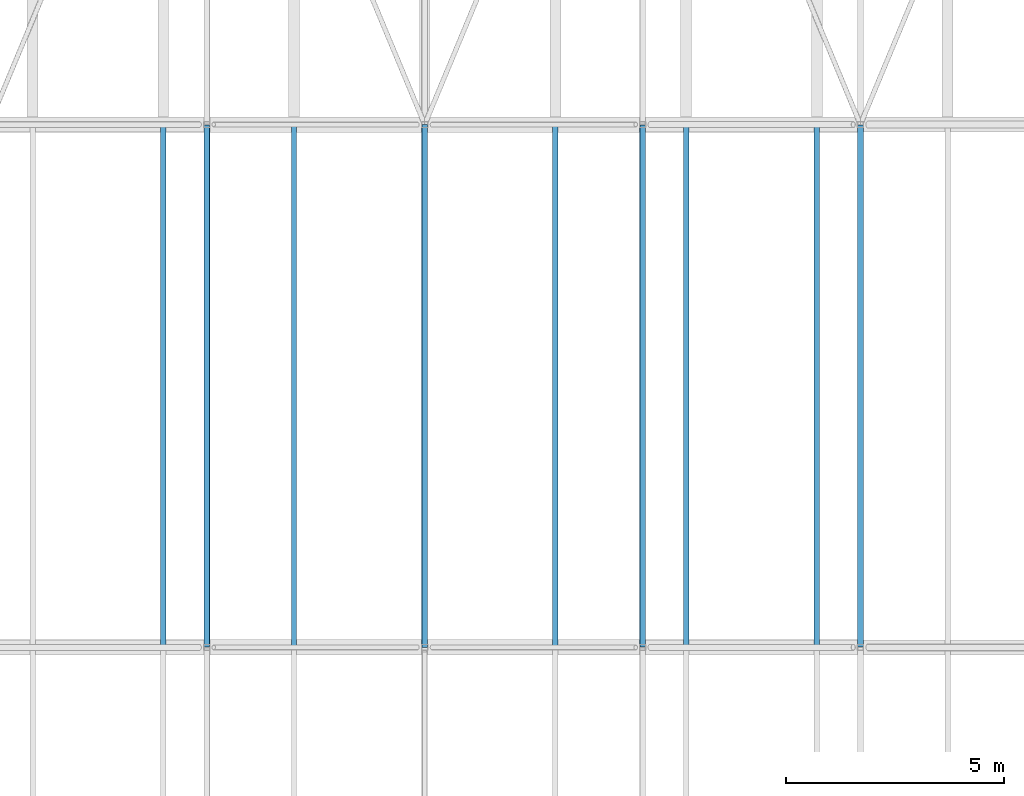
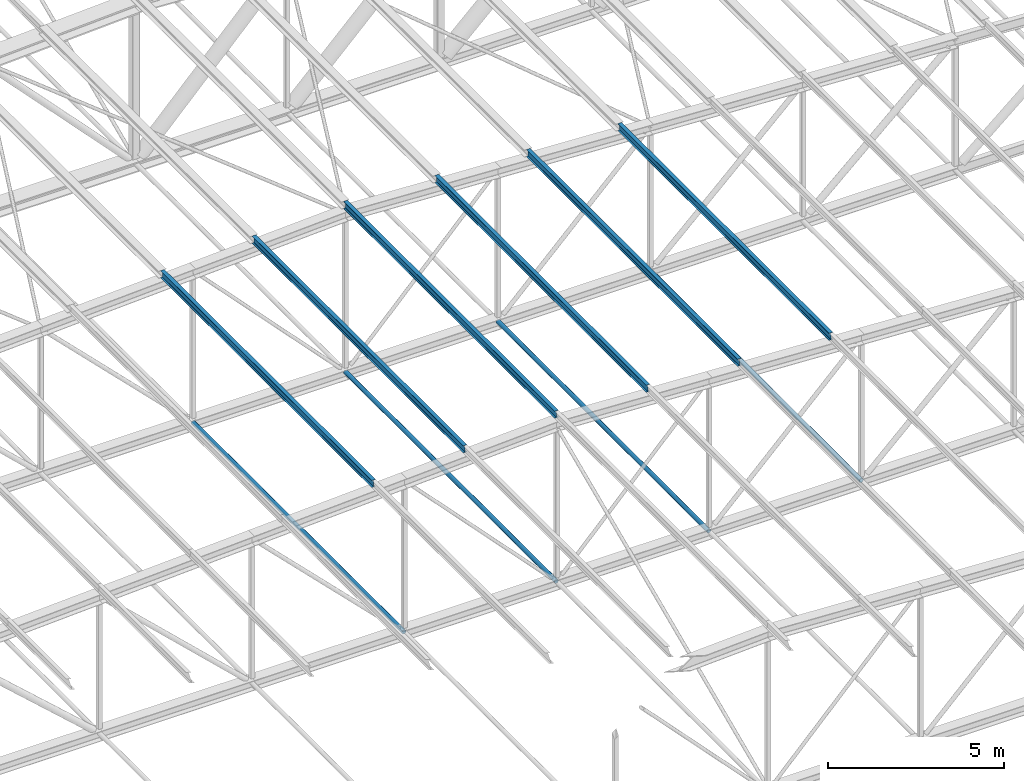
# One storey, part 62 of 156: 10 members.
"""IFC4 building model written with IfcOpenShell, lengths in metres."""

from ifc_helpers import new_model, si_unit, direction, frame, origin, origin_2d, place, context, subcontext, project, spatial, hollow_circle, i_section, extrude, material, material_profile, profile_set, type_object, element, save


model = new_model("IFC4")

# Units and contexts
model_context = context("Model", 3, precision=1e-05, world=origin(), true_north=direction((0.0, 1.0)))
body_context = subcontext(model_context, "Body", "Model", "MODEL_VIEW")
ifc_project = project(units=[si_unit("LENGTHUNIT", "METRE"), si_unit("AREAUNIT", "SQUARE_METRE"), si_unit("VOLUMEUNIT", "CUBIC_METRE"), si_unit("PLANEANGLEUNIT", "RADIAN"), si_unit("MASSUNIT", "GRAM", prefix="KILO")], contexts=[model_context])

# Site, building, storey
site_placement = place(None, origin())
site = spatial("IfcSite", under=ifc_project, at=site_placement, CompositionType="ELEMENT")
building_placement = place(site_placement, origin())
building = spatial("IfcBuilding", under=site, at=building_placement, Name="Lilac Gate Convention Centre", CompositionType="ELEMENT")
storey_placement = place(building_placement, frame((0.0, 0.0, 17.0)))
storey = spatial("IfcBuildingStorey", under=building, at=storey_placement, Name="L03", CompositionType="ELEMENT", Elevation=17.0)

# Members
ifc_material = material(Name="Steel Q355B", Category="steel")
ifc_material_profile_1 = material_profile(ifc_material, hollow_circle(Radius=0.06982421875, WallThickness=0.0048828125, at=origin_2d()), Name="CHS139.7x5")
ifc_profile_set_1 = profile_set([ifc_material_profile_1], Name="Steel Q355B")
member_type_1 = type_object("IfcMemberType", Name="Bottom chord tie CHS139.7x5", PredefinedType="STRUT", material=ifc_profile_set_1)
for number, where, z_axis, x_axis, name in (
    (1, (55.0, 114.009521484375, 0.0), (0.0, 1.0, 0.0), (-1.0, 0.0, 0.0), "ST1 tie bay 8 node 6"),
    (2, (60.0, 114.009521484375, 0.0), (0.0, 1.0, 0.0), (-1.0, 0.0, 0.0), "ST1 tie bay 8 node 7"),
    (3, (65.0, 114.009521484375, 0.0), (0.0, 1.0, 0.0), (-1.0, 0.0, 0.0), "ST1 tie bay 8 node 8"),
):
    element("IfcMember", number, at=place(storey_placement, frame(where, z_axis=z_axis, x_axis=x_axis)), inside=storey, type_object=member_type_1, Name=name, PredefinedType="STRUT", context=body_context, shape_type="SweptSolid", body=[
        extrude(hollow_circle(Radius=0.06982421875, WallThickness=0.0048828125, at=origin_2d()), origin(), (0.0, 0.0, 1.0), 11.98095703125),
    ])
member_placement = place(storey_placement, frame((70.0, 114.006103515625, 0.0), z_axis=(0.0, 1.0, 0.0), x_axis=(-1.0, 0.0, 0.0)))
element("IfcMember", 4, at=member_placement, inside=storey, type_object=member_type_1, Name="ST1 tie bay 8 node 9", PredefinedType="STRUT", context=body_context, shape_type="SweptSolid", body=[
    extrude(hollow_circle(Radius=0.06982421875, WallThickness=0.0048828125, at=origin_2d()), origin(), (0.0, 0.0, 1.0), 11.98779296875),
])
ifc_material_profile_2 = material_profile(ifc_material, i_section(OverallWidth=0.125, OverallDepth=0.25, WebThickness=0.006103515625, FlangeThickness=0.009033203125, FilletRadius=0.008056640625, at=origin_2d()), Name="HN250x125x6x9")
ifc_profile_set_2 = profile_set([ifc_material_profile_2], Name="Steel Q355B")
member_type_2 = type_object("IfcMemberType", Name="Roof purlin HN250x125x6x9", PredefinedType="PURLIN", material=ifc_profile_set_2)
for number, where, z_axis, x_axis, name in (
    (5, (54.0, 114.0, 5.500244140625), (0.0, 1.0, 0.0), (-1.0, 0.0, 0.0), "PU2 purlin bay 8 line 9"),
    (6, (57.0, 114.0, 5.650146484375), (0.0, 1.0, 0.0), (-1.0, 0.0, 0.0), "PU2 purlin bay 8 line 10"),
    (7, (60.0, 114.0, 5.80029296875), (0.0, 1.0, 0.0), (-1.0, 0.0, 0.0), "PU2 purlin bay 8 line 11"),
    (8, (63.0, 114.0, 5.650146484375), (0.0, 1.0, 0.0), (-1.0, 0.0, 0.0), "PU2 purlin bay 8 line 12"),
    (9, (66.0, 114.0, 5.500244140625), (0.0, 1.0, 0.0), (-1.0, 0.0, 0.0), "PU2 purlin bay 8 line 13"),
    (10, (69.0, 114.0, 5.35009765625), (0.0, 1.0, 0.0), (-1.0, 0.0, 0.0), "PU2 purlin bay 8 line 14"),
):
    element("IfcMember", number, at=place(storey_placement, frame(where, z_axis=z_axis, x_axis=x_axis)), inside=storey, type_object=member_type_2, Name=name, PredefinedType="PURLIN", context=body_context, shape_type="SweptSolid", body=[
        extrude(i_section(OverallWidth=0.125, OverallDepth=0.25, WebThickness=0.006103515625, FlangeThickness=0.009033203125, FilletRadius=0.008056640625, at=origin_2d()), origin(), (0.0, 0.0, 1.0), 12.0),
    ])

save(model, "model.ifc")
